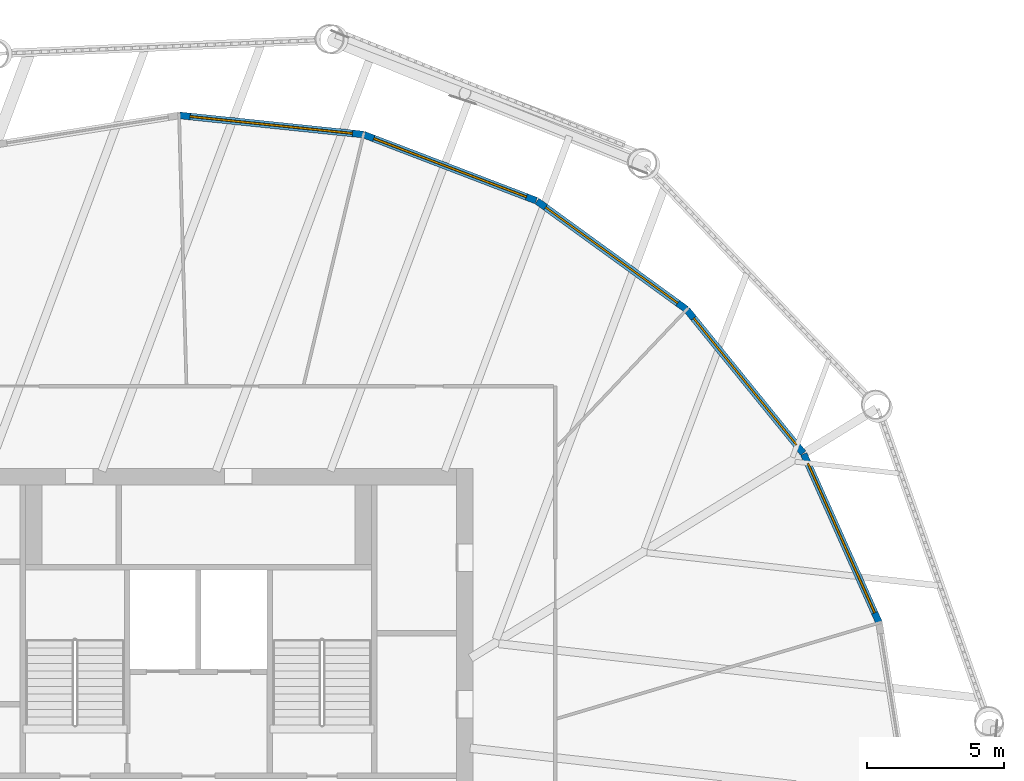
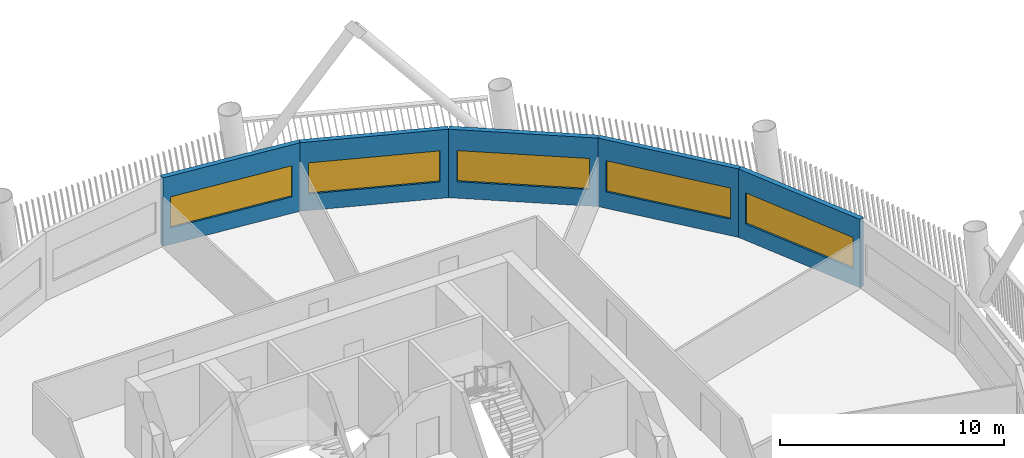
# One storey, part 7 of 22: 5 walls, 5 windows, 5 openings.
"""IFC4 building model written with IfcOpenShell, lengths in metres."""

from ifc_helpers import new_model, si_unit, direction, frame, frame_2d, origin, place, context, subcontext, project, spatial, rectangle, extrude, material, layer, layer_set, type_object, element, fill, save


model = new_model("IFC4")

# Units and contexts
model_context = context("Model", 3, precision=1e-05, world=origin(), true_north=direction((0.0, 1.0)))
body_context = subcontext(model_context, "Body", "Model", "MODEL_VIEW")
ifc_project = project(units=[si_unit("LENGTHUNIT", "METRE"), si_unit("AREAUNIT", "SQUARE_METRE"), si_unit("VOLUMEUNIT", "CUBIC_METRE"), si_unit("PLANEANGLEUNIT", "RADIAN"), si_unit("MASSUNIT", "GRAM", prefix="KILO")], contexts=[model_context])

# Site, building, storey
site_placement = place(None, origin())
site = spatial("IfcSite", under=ifc_project, at=site_placement, CompositionType="ELEMENT")
building_placement = place(site_placement, origin())
building = spatial("IfcBuilding", under=site, at=building_placement, Name="Tarsis Ring Headquarters", CompositionType="ELEMENT")
storey_placement = place(building_placement, frame((0.0, 0.0, 200.39990234375)))
storey = spatial("IfcBuildingStorey", under=building, at=storey_placement, Name="L46", CompositionType="ELEMENT", Elevation=200.39990234375)

# Wall, opening, window
ifc_material_1 = material(Name="Terracotta clad insulated panel wall", Category="masonry")
ifc_layer = layer(ifc_material_1, 0.25)
ifc_layer_set = layer_set([ifc_layer], Name="Facade wall terracotta panel 250")
wall_type = type_object("IfcWallType", Name="Facade wall terracotta panel 250", PredefinedType="STANDARD", material=ifc_layer_set)
wall_1_placement = place(storey_placement, frame((24.7939453125, 7.3896484375, 0.0), z_axis=(0.0, 0.0, 1.0), x_axis=(-0.407688157678, 0.913121222012, 0.0)))
wall_1 = element("IfcWall", 1, at=wall_1_placement, inside=storey, type_object=wall_type, Name="External wall L46-23", PredefinedType="STANDARD", context=body_context, shape_type="SweptSolid", body=[
    extrude(rectangle(XDim=6.721435546875, YDim=0.25, at=frame_2d((3.36083984375, 0.0))), origin(), (0.0, 0.0, 1.0), 3.739990234375),
])
opening_1_placement = place(wall_1_placement, frame((0.3857421875, 0.0, 0.89990234375)))
opening_1 = element("IfcOpeningElement", 2, at=opening_1_placement, cuts=wall_1, Name="Opening WN07", PredefinedType="OPENING", context=body_context, shape_type="SweptSolid", body=[
    extrude(rectangle(XDim=5.949951171875, YDim=1.699951171875, at=frame_2d((2.97509765625, 0.85009765625))), frame((0.0, 0.135009765625, 0.0), z_axis=(0.0, -1.0, 0.0), x_axis=(1.0, 0.0, 0.0)), (0.0, 0.0, 1.0), 0.27001953125),
])
ifc_material_2 = material(Name="Aluminium framed double glazing", Category="aluminium")
window_type = type_object("IfcWindowType", Name="Facade window 5950 x 1700", PartitioningType="SINGLE_PANEL", PredefinedType="WINDOW", material=ifc_material_2)
window_1_placement = place(opening_1_placement, origin())
window_1 = element("IfcWindow", 3, at=window_1_placement, inside=storey, type_object=window_type, Name="Window L46-23.1", OverallHeight=1.699951171875, OverallWidth=5.949951171875, PartitioningType="SINGLE_PANEL", PredefinedType="WINDOW", context=body_context, shape_type="SweptSolid", body=[
    extrude(rectangle(XDim=5.949951171875, YDim=1.699951171875, at=frame_2d((2.97509765625, 0.85009765625))), frame((0.0, 0.030029296875, 0.0), z_axis=(0.0, -1.0, 0.0), x_axis=(1.0, 0.0, 0.0)), (0.0, 0.0, 1.0), 0.06005859375),
])
fill(opening_1, window_1)

wall_2_placement = place(storey_placement, frame((22.03662109375, 13.554931640625, 0.0), z_axis=(0.0, 0.0, 1.0), x_axis=(-0.630141277594, 0.776480502184, 0.0)))
wall_2 = element("IfcWall", 4, at=wall_2_placement, inside=storey, type_object=wall_type, Name="External wall L46-24", PredefinedType="STANDARD", context=body_context, shape_type="SweptSolid", body=[
    extrude(rectangle(XDim=6.7216796875, YDim=0.25, at=frame_2d((3.36083984375, 0.0))), origin(), (0.0, 0.0, 1.0), 3.739990234375),
])
opening_2_placement = place(wall_2_placement, frame((0.3857421875, 0.0, 0.89990234375)))
opening_2 = element("IfcOpeningElement", 5, at=opening_2_placement, cuts=wall_2, Name="Opening WN07", PredefinedType="OPENING", context=body_context, shape_type="SweptSolid", body=[
    extrude(rectangle(XDim=5.949951171875, YDim=1.699951171875, at=frame_2d((2.97509765625, 0.85009765625))), frame((0.0, 0.135009765625, 0.0), z_axis=(0.0, -1.0, 0.0), x_axis=(1.0, 0.0, 0.0)), (0.0, 0.0, 1.0), 0.27001953125),
])
window_2_placement = place(opening_2_placement, origin())
window_2 = element("IfcWindow", 6, at=window_2_placement, inside=storey, type_object=window_type, Name="Window L46-24.1", OverallHeight=1.699951171875, OverallWidth=5.949951171875, PartitioningType="SINGLE_PANEL", PredefinedType="WINDOW", context=body_context, shape_type="SweptSolid", body=[
    extrude(rectangle(XDim=5.949951171875, YDim=1.699951171875, at=frame_2d((2.97509765625, 0.85009765625))), frame((0.0, 0.030029296875, 0.0), z_axis=(0.0, -1.0, 0.0), x_axis=(1.0, 0.0, 0.0)), (0.0, 0.0, 1.0), 0.06005859375),
])
fill(opening_2, window_2)

wall_3_placement = place(storey_placement, frame((17.77734375, 18.796630859375, 0.0), z_axis=(0.0, 0.0, 1.0), x_axis=(-0.80963201919, 0.586937810592, 0.0)))
wall_3 = element("IfcWall", 7, at=wall_3_placement, inside=storey, type_object=wall_type, Name="External wall L46-25", PredefinedType="STANDARD", context=body_context, shape_type="SweptSolid", body=[
    extrude(rectangle(XDim=6.721435546875, YDim=0.25, at=frame_2d((3.36083984375, 0.0))), origin(), (0.0, 0.0, 1.0), 3.739990234375),
])
opening_3_placement = place(wall_3_placement, frame((0.3857421875, 0.0, 0.89990234375)))
opening_3 = element("IfcOpeningElement", 8, at=opening_3_placement, cuts=wall_3, Name="Opening WN07", PredefinedType="OPENING", context=body_context, shape_type="SweptSolid", body=[
    extrude(rectangle(XDim=5.949951171875, YDim=1.699951171875, at=frame_2d((2.97509765625, 0.85009765625))), frame((0.0, 0.135009765625, 0.0), z_axis=(0.0, -1.0, 0.0), x_axis=(1.0, 0.0, 0.0)), (0.0, 0.0, 1.0), 0.27001953125),
])
window_3_placement = place(opening_3_placement, origin())
window_3 = element("IfcWindow", 9, at=window_3_placement, inside=storey, type_object=window_type, Name="Window L46-25.1", OverallHeight=1.699951171875, OverallWidth=5.949951171875, PartitioningType="SINGLE_PANEL", PredefinedType="WINDOW", context=body_context, shape_type="SweptSolid", body=[
    extrude(rectangle(XDim=5.949951171875, YDim=1.699951171875, at=frame_2d((2.97509765625, 0.85009765625))), frame((0.0, 0.030029296875, 0.0), z_axis=(0.0, -1.0, 0.0), x_axis=(1.0, 0.0, 0.0)), (0.0, 0.0, 1.0), 0.06005859375),
])
fill(opening_3, window_3)

wall_4_placement = place(storey_placement, frame((12.306884765625, 22.75732421875, 0.0), z_axis=(0.0, 0.0, 1.0), x_axis=(-0.933964855444, 0.357364867882, 0.0)))
wall_4 = element("IfcWall", 10, at=wall_4_placement, inside=storey, type_object=wall_type, Name="External wall L46-26", PredefinedType="STANDARD", context=body_context, shape_type="SweptSolid", body=[
    extrude(rectangle(XDim=6.7216796875, YDim=0.25, at=frame_2d((3.36083984375, 0.0))), origin(), (0.0, 0.0, 1.0), 3.739990234375),
])
opening_4_placement = place(wall_4_placement, frame((0.3857421875, 0.0, 0.89990234375)))
opening_4 = element("IfcOpeningElement", 11, at=opening_4_placement, cuts=wall_4, Name="Opening WN07", PredefinedType="OPENING", context=body_context, shape_type="SweptSolid", body=[
    extrude(rectangle(XDim=5.949951171875, YDim=1.699951171875, at=frame_2d((2.97509765625, 0.85009765625))), frame((0.0, 0.135009765625, 0.0), z_axis=(0.0, -1.0, 0.0), x_axis=(1.0, 0.0, 0.0)), (0.0, 0.0, 1.0), 0.27001953125),
])
window_4_placement = place(opening_4_placement, origin())
window_4 = element("IfcWindow", 12, at=window_4_placement, inside=storey, type_object=window_type, Name="Window L46-26.1", OverallHeight=1.699951171875, OverallWidth=5.949951171875, PartitioningType="SINGLE_PANEL", PredefinedType="WINDOW", context=body_context, shape_type="SweptSolid", body=[
    extrude(rectangle(XDim=5.949951171875, YDim=1.699951171875, at=frame_2d((2.97509765625, 0.85009765625))), frame((0.0, 0.030029296875, 0.0), z_axis=(0.0, -1.0, 0.0), x_axis=(1.0, 0.0, 0.0)), (0.0, 0.0, 1.0), 0.06005859375),
])
fill(opening_4, window_4)

wall_5_placement = place(storey_placement, frame((5.997314453125, 25.1669921875, 0.0), z_axis=(0.0, 0.0, 1.0), x_axis=(-0.994631112096, 0.103484060854, 0.0)))
wall_5 = element("IfcWall", 13, at=wall_5_placement, inside=storey, type_object=wall_type, Name="External wall L46-27", PredefinedType="STANDARD", context=body_context, shape_type="SweptSolid", body=[
    extrude(rectangle(XDim=6.721435546875, YDim=0.25, at=frame_2d((3.36083984375, 0.0))), origin(), (0.0, 0.0, 1.0), 3.739990234375),
])
opening_5_placement = place(wall_5_placement, frame((0.3857421875, 0.0, 0.89990234375)))
opening_5 = element("IfcOpeningElement", 14, at=opening_5_placement, cuts=wall_5, Name="Opening WN07", PredefinedType="OPENING", context=body_context, shape_type="SweptSolid", body=[
    extrude(rectangle(XDim=5.949951171875, YDim=1.699951171875, at=frame_2d((2.97509765625, 0.85009765625))), frame((0.0, 0.135009765625, 0.0), z_axis=(0.0, -1.0, 0.0), x_axis=(1.0, 0.0, 0.0)), (0.0, 0.0, 1.0), 0.27001953125),
])
window_5_placement = place(opening_5_placement, origin())
window_5 = element("IfcWindow", 15, at=window_5_placement, inside=storey, type_object=window_type, Name="Window L46-27.1", OverallHeight=1.699951171875, OverallWidth=5.949951171875, PartitioningType="SINGLE_PANEL", PredefinedType="WINDOW", context=body_context, shape_type="SweptSolid", body=[
    extrude(rectangle(XDim=5.949951171875, YDim=1.699951171875, at=frame_2d((2.97509765625, 0.85009765625))), frame((0.0, 0.030029296875, 0.0), z_axis=(0.0, -1.0, 0.0), x_axis=(1.0, 0.0, 0.0)), (0.0, 0.0, 1.0), 0.06005859375),
])
fill(opening_5, window_5)

save(model, "model.ifc")
